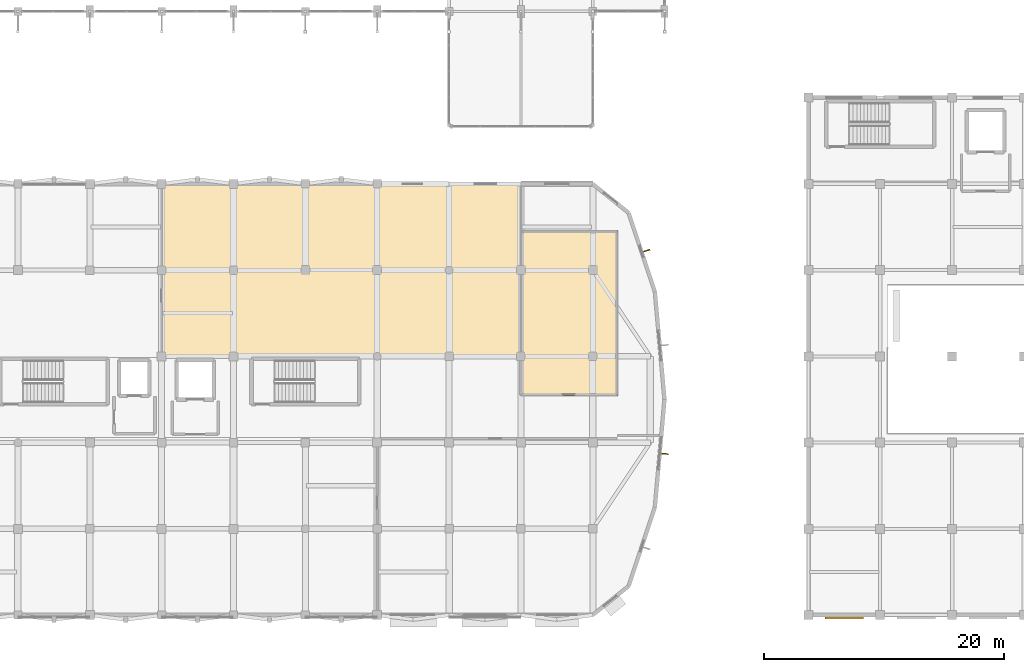
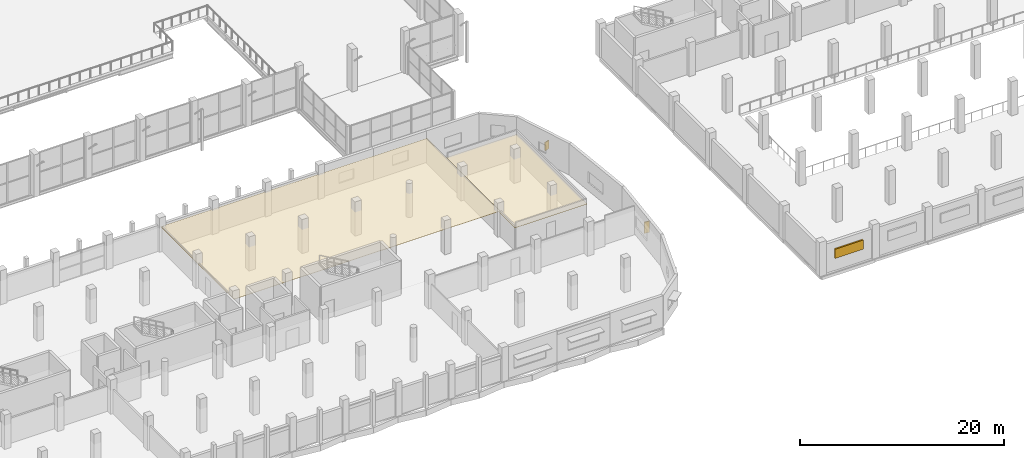
# One storey, part 121 of 127: 3 shading devices, 2 coverings.
"""IFC4 building model written with IfcOpenShell, lengths in metres."""

from ifc_helpers import new_model, si_unit, direction, frame, origin, origin_2d, place, context, subcontext, project, spatial, polyline, rectangle, outline, extrude, material, layer, layer_set, type_object, element, save


model = new_model("IFC4")

# Units and contexts
model_context = context("Model", 3, precision=1e-05, world=origin(), true_north=direction((0.0, 1.0)))
body_context = subcontext(model_context, "Body", "Model", "MODEL_VIEW")
ifc_project = project(units=[si_unit("LENGTHUNIT", "METRE"), si_unit("AREAUNIT", "SQUARE_METRE"), si_unit("VOLUMEUNIT", "CUBIC_METRE"), si_unit("PLANEANGLEUNIT", "RADIAN"), si_unit("MASSUNIT", "GRAM", prefix="KILO")], contexts=[model_context])

# Site, building, storey
site_placement = place(None, origin())
site = spatial("IfcSite", under=ifc_project, at=site_placement, CompositionType="ELEMENT")
building_placement = place(site_placement, origin())
building = spatial("IfcBuilding", under=site, at=building_placement, Name="Dunvalen Ferry Terminal", CompositionType="ELEMENT")
storey_placement = place(building_placement, frame((0.0, 0.0, 5.760009765625)))
storey = spatial("IfcBuildingStorey", under=building, at=storey_placement, Name="L01", CompositionType="ELEMENT", Elevation=5.760009765625)

# Shading devices
ifc_material_1 = material(Name="Anodised marine aluminium EN AW-6063 T6", Category="aluminium")
ifc_layer_1 = layer(ifc_material_1, 0.080078125, Name="Anodised marine aluminium EN AW-6063 T6")
ifc_layer_set_1 = layer_set([ifc_layer_1], Name="Anodised marine aluminium EN AW-6063 T6")
shading_device_type_1 = type_object("IfcShadingDeviceType", Name="ENV-SHD-FIN01", PredefinedType="USERDEFINED", material=ifc_layer_set_1)
shading_device_1_placement = place(storey_placement, frame((96.02734375, 13.461669921875, 0.949951171875), z_axis=(0.0, 0.0, 1.0), x_axis=(0.088957034029, 0.996035464277, 0.0)))
element("IfcShadingDevice", 1, at=shading_device_1_placement, inside=storey, type_object=shading_device_type_1, Name="L01 East Solar Fin 015", ObjectType="SOLAR FIN", PredefinedType="USERDEFINED", context=body_context, shape_type="SweptSolid", body=[
    extrude(rectangle(XDim=0.080078125, YDim=0.550048828125, at=origin_2d()), origin(), (0.0, 0.0, 1.0), 1.35009765625),
])
shading_device_2_placement = place(storey_placement, frame((94.507080078125, 30.430419921875, 1.14990234375), z_axis=(0.0, 0.0, 1.0), x_axis=(-0.316232085723, 0.948681858138, 0.0)))
element("IfcShadingDevice", 2, at=shading_device_2_placement, inside=storey, type_object=shading_device_type_1, Name="L01 East Solar Fin 017", ObjectType="SOLAR FIN", PredefinedType="USERDEFINED", context=body_context, shape_type="SweptSolid", body=[
    extrude(rectangle(XDim=0.080078125, YDim=0.550048828125, at=origin_2d()), origin(), (0.0, 0.0, 1.0), 1.0),
])
ifc_layer_2 = layer(ifc_material_1, 1.10009765625, Name="Anodised marine aluminium EN AW-6063 T6")
ifc_layer_set_2 = layer_set([ifc_layer_2], Name="Anodised marine aluminium EN AW-6063 T6")
shading_device_type_2 = type_object("IfcShadingDeviceType", Name="ENV-SHD-JAL01", PredefinedType="JALOUSIE", material=ifc_layer_set_2)
shading_device_3_placement = place(storey_placement, frame((111.0, -0.25, 1.550048828125), z_axis=(0.0, 0.0, 1.0), x_axis=(1.0, 0.0, 0.0)))
element("IfcShadingDevice", 3, at=shading_device_3_placement, inside=storey, type_object=shading_device_type_2, Name="L01 Vehicle Deck Exhaust Louvre 01", PredefinedType="JALOUSIE", context=body_context, shape_type="SweptSolid", body=[
    extrude(rectangle(XDim=3.199951171875, YDim=0.179931640625, at=origin_2d()), origin(), (0.0, 0.0, 1.0), 1.10009765625),
])

# Coverings
ifc_material_2 = material(Name="Perforated marine aluminium acoustic baffle ceiling", Category="aluminium")
ifc_layer_3 = layer(ifc_material_2, 0.0400390625, Name="Perforated marine aluminium acoustic baffle ceiling")
ifc_layer_set_3 = layer_set([ifc_layer_3], Name="Perforated marine aluminium acoustic baffle ceiling")
covering_type_1 = type_object("IfcCoveringType", Name="INT-COV-CLG01", PredefinedType="CEILING", material=ifc_layer_set_3)
covering_1_placement = place(storey_placement, frame((0.0, 0.0, 2.81005859375)))
element("IfcCovering", 4, at=covering_1_placement, inside=storey, type_object=covering_type_1, Name="L01 Port Emergency Simulation and Training Room Acoustic Suspended Ceiling", PredefinedType="CEILING", context=body_context, shape_type="SweptSolid", body=[
    extrude(outline(polyline([(53.909912109375, 35.8701171875), (53.909912109375, 21.510009765625), (84.090087890625, 21.510009765625), (84.090087890625, 35.8701171875), (53.909912109375, 35.8701171875)])), origin(), (0.0, 0.0, 1.0), 0.0400390625),
])
ifc_material_3 = material(Name="Moisture-resistant mineral-fibre acoustic ceiling", Category="gypsum")
ifc_layer_4 = layer(ifc_material_3, 0.050048828125, Name="Moisture-resistant mineral-fibre acoustic ceiling")
ifc_layer_set_4 = layer_set([ifc_layer_4], Name="Moisture-resistant mineral-fibre acoustic ceiling")
covering_type_2 = type_object("IfcCoveringType", Name="INT-COV-CLG02", PredefinedType="CEILING", material=ifc_layer_set_4)
covering_2_placement = place(storey_placement, frame((0.0, 0.0, 2.800048828125)))
element("IfcCovering", 5, at=covering_2_placement, inside=storey, type_object=covering_type_2, Name="L01 Crew Staff and Accessible Toilets Acoustic Suspended Ceiling", PredefinedType="CEILING", context=body_context, shape_type="SweptSolid", body=[
    extrude(outline(polyline([(84.070068359375, 21.617919921875), (84.044189453125, 21.555908203125), (83.909912109375, 21.5), (83.909912109375, 18.31005859375), (92.090087890625, 18.31005859375), (92.090087890625, 32.090087890625), (84.070068359375, 32.090087890625), (84.070068359375, 21.617919921875)])), origin(), (0.0, 0.0, 1.0), 0.050048828125),
])

save(model, "model.ifc")
